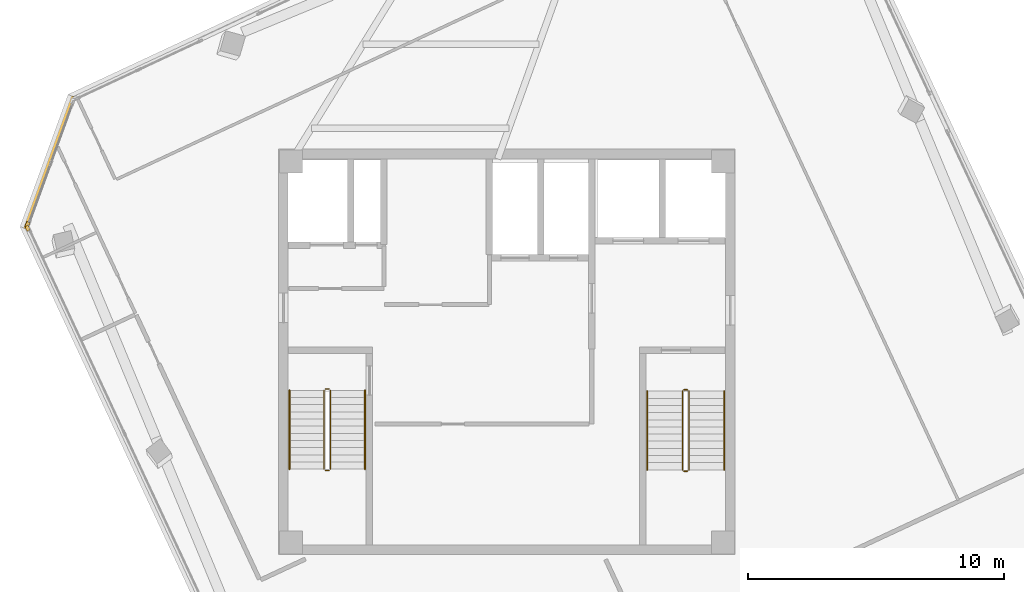
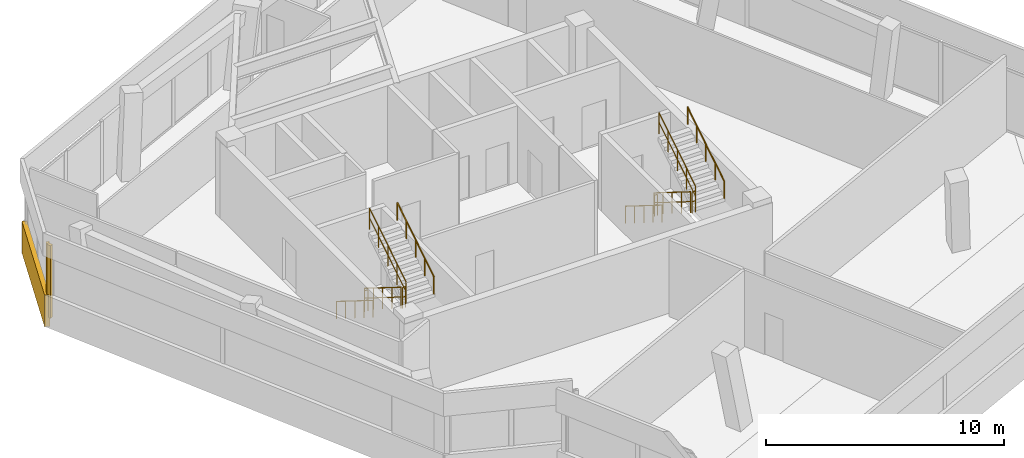
# One storey, part 15 of 16: 12 railings, 3 coverings.
"""IFC4 building model written with IfcOpenShell, lengths in metres."""

from ifc_helpers import new_model, si_unit, direction, frame, origin, origin_2d, place, context, subcontext, project, spatial, rectangle, circle, extrude, source, transform, mapped, material, layer, layer_set, type_object, element, save


model = new_model("IFC4")

# Units and contexts
model_context = context("Model", 3, precision=1e-05, world=origin(), true_north=direction((0.0, 1.0)))
body_context = subcontext(model_context, "Body", "Model", "MODEL_VIEW")
ifc_project = project(units=[si_unit("LENGTHUNIT", "METRE"), si_unit("AREAUNIT", "SQUARE_METRE"), si_unit("VOLUMEUNIT", "CUBIC_METRE"), si_unit("PLANEANGLEUNIT", "RADIAN"), si_unit("MASSUNIT", "GRAM", prefix="KILO")], contexts=[model_context])

# Site, building, storey
site_placement = place(None, origin())
site = spatial("IfcSite", under=ifc_project, at=site_placement, CompositionType="ELEMENT")
building_placement = place(site_placement, origin())
building = spatial("IfcBuilding", under=site, at=building_placement, Name="Torre Montelarca", CompositionType="ELEMENT")
storey_placement = place(building_placement, frame((0.0, 0.0, 345.0)))
storey = spatial("IfcBuildingStorey", under=building, at=storey_placement, Name="L78", CompositionType="ELEMENT", Elevation=345.0)

# Railings
ifc_material_1 = material(Name="Powder-coated steel ASTM A500 Grade C", Category="steel")
railing_type_1 = type_object("IfcRailingType", Name="RL-GUARD-1100", PredefinedType="BALUSTRADE", material=ifc_material_1)
railing_1_placement = place(storey_placement, frame((10.85009765625, 30.5, 0.175048828125)))
element("IfcRailing", 1, at=railing_1_placement, inside=storey, type_object=railing_type_1, Name="L78 ST1 stair guard 1", PredefinedType="BALUSTRADE", context=body_context, shape_type="SweptSolid", body=[
    extrude(circle(Radius=0.02392578125, at=origin_2d()), frame((0.0, 0.0, 1.076171875), z_axis=(0.0, -0.847998304005, 0.529998940003), x_axis=(1.0, 0.0, 0.0)), (0.0, 0.0, 1.0), 3.632080078125),
    extrude(circle(Radius=0.02099609375, at=origin_2d()), frame((0.0, 0.0, 0.572021484375), z_axis=(0.0, -0.847998304005, 0.529998940003), x_axis=(1.0, 0.0, 0.0)), (0.0, 0.0, 1.0), 3.632080078125),
    extrude(circle(Radius=0.02099609375, at=origin_2d()), origin(), (0.0, 0.0, 1.0), 1.052001953125),
    extrude(circle(Radius=0.02099609375, at=origin_2d()), frame((0.0, -0.77001953125, 0.481201171875)), (0.0, 0.0, 1.0), 1.052001953125),
    extrude(circle(Radius=0.02099609375, at=origin_2d()), frame((0.0, -1.5400390625, 0.96240234375)), (0.0, 0.0, 1.0), 1.052001953125),
    extrude(circle(Radius=0.02099609375, at=origin_2d()), frame((0.0, -2.31005859375, 1.44384765625)), (0.0, 0.0, 1.0), 1.052001953125),
    extrude(circle(Radius=0.02099609375, at=origin_2d()), frame((0.0, -3.080078125, 1.925048828125)), (0.0, 0.0, 1.0), 1.052001953125),
])
railing_2_placement = place(storey_placement, frame((10.89990234375, 27.3701171875, 2.10009765625)))
element("IfcRailing", 2, at=railing_2_placement, inside=storey, type_object=railing_type_1, Name="L78 ST1 stair guard 2", PredefinedType="BALUSTRADE", context=body_context, shape_type="SweptSolid", body=[
    extrude(circle(Radius=0.02392578125, at=origin_2d()), frame((0.0, 0.0, 1.076171875), z_axis=(1.0, 0.0, 0.0), x_axis=(0.0, 1.0, 0.0)), (0.0, 0.0, 1.0), 0.150146484375),
    extrude(circle(Radius=0.02099609375, at=origin_2d()), frame((0.0, 0.0, 0.572021484375), z_axis=(1.0, 0.0, 0.0), x_axis=(0.0, 1.0, 0.0)), (0.0, 0.0, 1.0), 0.150146484375),
    extrude(circle(Radius=0.02099609375, at=origin_2d()), origin(), (0.0, 0.0, 1.0), 1.052001953125),
    extrude(circle(Radius=0.02099609375, at=origin_2d()), frame((0.150146484375, 0.0, 0.0)), (0.0, 0.0, 1.0), 1.052001953125),
])
railing_3_placement = place(storey_placement, frame((11.10009765625, 27.419921875, 2.27490234375)))
element("IfcRailing", 3, at=railing_3_placement, inside=storey, type_object=railing_type_1, Name="L78 ST1 stair guard 3", PredefinedType="BALUSTRADE", context=body_context, shape_type="SweptSolid", body=[
    extrude(circle(Radius=0.02392578125, at=origin_2d()), frame((0.0, 0.0, 1.076171875), z_axis=(0.0, 0.847998304005, 0.529998940003), x_axis=(-1.0, 0.0, 0.0)), (0.0, 0.0, 1.0), 3.632080078125),
    extrude(circle(Radius=0.02099609375, at=origin_2d()), frame((0.0, 0.0, 0.572021484375), z_axis=(0.0, 0.847998304005, 0.529998940003), x_axis=(-1.0, 0.0, 0.0)), (0.0, 0.0, 1.0), 3.632080078125),
    extrude(circle(Radius=0.02099609375, at=origin_2d()), origin(), (0.0, 0.0, 1.0), 1.052001953125),
    extrude(circle(Radius=0.02099609375, at=origin_2d()), frame((0.0, 0.77001953125, 0.481201171875)), (0.0, 0.0, 1.0), 1.052001953125),
    extrude(circle(Radius=0.02099609375, at=origin_2d()), frame((0.0, 1.5400390625, 0.96240234375)), (0.0, 0.0, 1.0), 1.052001953125),
    extrude(circle(Radius=0.02099609375, at=origin_2d()), frame((0.0, 2.31005859375, 1.44384765625)), (0.0, 0.0, 1.0), 1.052001953125),
    extrude(circle(Radius=0.02099609375, at=origin_2d()), frame((0.0, 3.080078125, 1.925048828125)), (0.0, 0.0, 1.0), 1.052001953125),
])
railing_4_placement = place(storey_placement, frame((10.89990234375, 30.550048828125, 0.0)))
element("IfcRailing", 4, at=railing_4_placement, inside=storey, type_object=railing_type_1, Name="L78 ST1 stair guard 4", PredefinedType="BALUSTRADE", context=body_context, shape_type="SweptSolid", body=[
    extrude(circle(Radius=0.02392578125, at=origin_2d()), frame((0.0, 0.0, 1.076171875), z_axis=(1.0, 0.0, 0.0), x_axis=(0.0, 1.0, 0.0)), (0.0, 0.0, 1.0), 0.150146484375),
    extrude(circle(Radius=0.02099609375, at=origin_2d()), frame((0.0, 0.0, 0.572021484375), z_axis=(1.0, 0.0, 0.0), x_axis=(0.0, 1.0, 0.0)), (0.0, 0.0, 1.0), 0.150146484375),
    extrude(circle(Radius=0.02099609375, at=origin_2d()), origin(), (0.0, 0.0, 1.0), 1.052001953125),
    extrude(circle(Radius=0.02099609375, at=origin_2d()), frame((0.150146484375, 0.0, 0.0)), (0.0, 0.0, 1.0), 1.052001953125),
])
railing_5_placement = place(storey_placement, frame((24.8701171875, 30.469970703125, 0.175048828125)))
element("IfcRailing", 5, at=railing_5_placement, inside=storey, type_object=railing_type_1, Name="L78 ST2 stair guard 1", PredefinedType="BALUSTRADE", context=body_context, shape_type="SweptSolid", body=[
    extrude(circle(Radius=0.02392578125, at=origin_2d()), frame((0.0, 0.0, 1.076171875), z_axis=(0.0, -0.847998304005, 0.529998940003), x_axis=(1.0, 0.0, 0.0)), (0.0, 0.0, 1.0), 3.632080078125),
    extrude(circle(Radius=0.02099609375, at=origin_2d()), frame((0.0, 0.0, 0.572021484375), z_axis=(0.0, -0.847998304005, 0.529998940003), x_axis=(1.0, 0.0, 0.0)), (0.0, 0.0, 1.0), 3.632080078125),
    extrude(circle(Radius=0.02099609375, at=origin_2d()), origin(), (0.0, 0.0, 1.0), 1.052001953125),
    extrude(circle(Radius=0.02099609375, at=origin_2d()), frame((0.0, -0.77001953125, 0.481201171875)), (0.0, 0.0, 1.0), 1.052001953125),
    extrude(circle(Radius=0.02099609375, at=origin_2d()), frame((0.0, -1.5400390625, 0.96240234375)), (0.0, 0.0, 1.0), 1.052001953125),
    extrude(circle(Radius=0.02099609375, at=origin_2d()), frame((0.0, -2.31005859375, 1.44384765625)), (0.0, 0.0, 1.0), 1.052001953125),
    extrude(circle(Radius=0.02099609375, at=origin_2d()), frame((0.0, -3.080078125, 1.925048828125)), (0.0, 0.0, 1.0), 1.052001953125),
])
railing_6_placement = place(storey_placement, frame((24.919921875, 27.340087890625, 2.10009765625)))
element("IfcRailing", 6, at=railing_6_placement, inside=storey, type_object=railing_type_1, Name="L78 ST2 stair guard 2", PredefinedType="BALUSTRADE", context=body_context, shape_type="SweptSolid", body=[
    extrude(circle(Radius=0.02392578125, at=origin_2d()), frame((0.0, 0.0, 1.076171875), z_axis=(1.0, 0.0, 0.0), x_axis=(0.0, 1.0, 0.0)), (0.0, 0.0, 1.0), 0.150146484375),
    extrude(circle(Radius=0.02099609375, at=origin_2d()), frame((0.0, 0.0, 0.572021484375), z_axis=(1.0, 0.0, 0.0), x_axis=(0.0, 1.0, 0.0)), (0.0, 0.0, 1.0), 0.150146484375),
    extrude(circle(Radius=0.02099609375, at=origin_2d()), origin(), (0.0, 0.0, 1.0), 1.052001953125),
    extrude(circle(Radius=0.02099609375, at=origin_2d()), frame((0.150146484375, 0.0, 0.0)), (0.0, 0.0, 1.0), 1.052001953125),
])
railing_7_placement = place(storey_placement, frame((25.1201171875, 27.389892578125, 2.27490234375)))
element("IfcRailing", 7, at=railing_7_placement, inside=storey, type_object=railing_type_1, Name="L78 ST2 stair guard 3", PredefinedType="BALUSTRADE", context=body_context, shape_type="SweptSolid", body=[
    extrude(circle(Radius=0.02392578125, at=origin_2d()), frame((0.0, 0.0, 1.076171875), z_axis=(0.0, 0.847998304005, 0.529998940003), x_axis=(-1.0, 0.0, 0.0)), (0.0, 0.0, 1.0), 3.632080078125),
    extrude(circle(Radius=0.02099609375, at=origin_2d()), frame((0.0, 0.0, 0.572021484375), z_axis=(0.0, 0.847998304005, 0.529998940003), x_axis=(-1.0, 0.0, 0.0)), (0.0, 0.0, 1.0), 3.632080078125),
    extrude(circle(Radius=0.02099609375, at=origin_2d()), origin(), (0.0, 0.0, 1.0), 1.052001953125),
    extrude(circle(Radius=0.02099609375, at=origin_2d()), frame((0.0, 0.77001953125, 0.481201171875)), (0.0, 0.0, 1.0), 1.052001953125),
    extrude(circle(Radius=0.02099609375, at=origin_2d()), frame((0.0, 1.5400390625, 0.96240234375)), (0.0, 0.0, 1.0), 1.052001953125),
    extrude(circle(Radius=0.02099609375, at=origin_2d()), frame((0.0, 2.31005859375, 1.44384765625)), (0.0, 0.0, 1.0), 1.052001953125),
    extrude(circle(Radius=0.02099609375, at=origin_2d()), frame((0.0, 3.080078125, 1.925048828125)), (0.0, 0.0, 1.0), 1.052001953125),
])
railing_8_placement = place(storey_placement, frame((24.919921875, 30.52001953125, 0.0)))
element("IfcRailing", 8, at=railing_8_placement, inside=storey, type_object=railing_type_1, Name="L78 ST2 stair guard 4", PredefinedType="BALUSTRADE", context=body_context, shape_type="SweptSolid", body=[
    extrude(circle(Radius=0.02392578125, at=origin_2d()), frame((0.0, 0.0, 1.076171875), z_axis=(1.0, 0.0, 0.0), x_axis=(0.0, 1.0, 0.0)), (0.0, 0.0, 1.0), 0.150146484375),
    extrude(circle(Radius=0.02099609375, at=origin_2d()), frame((0.0, 0.0, 0.572021484375), z_axis=(1.0, 0.0, 0.0), x_axis=(0.0, 1.0, 0.0)), (0.0, 0.0, 1.0), 0.150146484375),
    extrude(circle(Radius=0.02099609375, at=origin_2d()), origin(), (0.0, 0.0, 1.0), 1.052001953125),
    extrude(circle(Radius=0.02099609375, at=origin_2d()), frame((0.150146484375, 0.0, 0.0)), (0.0, 0.0, 1.0), 1.052001953125),
])
ifc_material_2 = material(Name="Brushed stainless steel AISI 316", Category="steel")
railing_type_2 = type_object("IfcRailingType", Name="RL-HANDRAIL-900", PredefinedType="HANDRAIL", material=ifc_material_2)
railing_9_placement = place(storey_placement, frame((9.5, 30.5, 0.175048828125)))
element("IfcRailing", 9, at=railing_9_placement, inside=storey, type_object=railing_type_2, Name="L78 ST1 stair handrail 1", PredefinedType="HANDRAIL", context=body_context, shape_type="SweptSolid", body=[
    extrude(circle(Radius=0.02392578125, at=origin_2d()), frame((0.0, 0.0, 0.8759765625), z_axis=(0.0, -0.847998304005, 0.529998940003), x_axis=(1.0, 0.0, 0.0)), (0.0, 0.0, 1.0), 3.632080078125),
    extrude(circle(Radius=0.02099609375, at=origin_2d()), origin(), (0.0, 0.0, 1.0), 0.851806640625),
    extrude(circle(Radius=0.02099609375, at=origin_2d()), frame((0.0, -0.77001953125, 0.481201171875)), (0.0, 0.0, 1.0), 0.851806640625),
    extrude(circle(Radius=0.02099609375, at=origin_2d()), frame((0.0, -1.5400390625, 0.96240234375)), (0.0, 0.0, 1.0), 0.851806640625),
    extrude(circle(Radius=0.02099609375, at=origin_2d()), frame((0.0, -2.31005859375, 1.44384765625)), (0.0, 0.0, 1.0), 0.851806640625),
    extrude(circle(Radius=0.02099609375, at=origin_2d()), frame((0.0, -3.080078125, 1.925048828125)), (0.0, 0.0, 1.0), 0.851806640625),
])
railing_10_placement = place(storey_placement, frame((12.449951171875, 27.419921875, 2.27490234375)))
element("IfcRailing", 10, at=railing_10_placement, inside=storey, type_object=railing_type_2, Name="L78 ST1 stair handrail 2", PredefinedType="HANDRAIL", context=body_context, shape_type="SweptSolid", body=[
    extrude(circle(Radius=0.02392578125, at=origin_2d()), frame((0.0, 0.0, 0.8759765625), z_axis=(0.0, 0.847998304005, 0.529998940003), x_axis=(-1.0, 0.0, 0.0)), (0.0, 0.0, 1.0), 3.632080078125),
    extrude(circle(Radius=0.02099609375, at=origin_2d()), origin(), (0.0, 0.0, 1.0), 0.851806640625),
    extrude(circle(Radius=0.02099609375, at=origin_2d()), frame((0.0, 0.77001953125, 0.481201171875)), (0.0, 0.0, 1.0), 0.851806640625),
    extrude(circle(Radius=0.02099609375, at=origin_2d()), frame((0.0, 1.5400390625, 0.96240234375)), (0.0, 0.0, 1.0), 0.851806640625),
    extrude(circle(Radius=0.02099609375, at=origin_2d()), frame((0.0, 2.31005859375, 1.44384765625)), (0.0, 0.0, 1.0), 0.851806640625),
    extrude(circle(Radius=0.02099609375, at=origin_2d()), frame((0.0, 3.080078125, 1.925048828125)), (0.0, 0.0, 1.0), 0.851806640625),
])
railing_11_placement = place(storey_placement, frame((23.489990234375, 30.469970703125, 0.175048828125)))
element("IfcRailing", 11, at=railing_11_placement, inside=storey, type_object=railing_type_2, Name="L78 ST2 stair handrail 1", PredefinedType="HANDRAIL", context=body_context, shape_type="SweptSolid", body=[
    extrude(circle(Radius=0.02392578125, at=origin_2d()), frame((0.0, 0.0, 0.8759765625), z_axis=(0.0, -0.847998304005, 0.529998940003), x_axis=(1.0, 0.0, 0.0)), (0.0, 0.0, 1.0), 3.632080078125),
    extrude(circle(Radius=0.02099609375, at=origin_2d()), origin(), (0.0, 0.0, 1.0), 0.851806640625),
    extrude(circle(Radius=0.02099609375, at=origin_2d()), frame((0.0, -0.77001953125, 0.481201171875)), (0.0, 0.0, 1.0), 0.851806640625),
    extrude(circle(Radius=0.02099609375, at=origin_2d()), frame((0.0, -1.5400390625, 0.96240234375)), (0.0, 0.0, 1.0), 0.851806640625),
    extrude(circle(Radius=0.02099609375, at=origin_2d()), frame((0.0, -2.31005859375, 1.44384765625)), (0.0, 0.0, 1.0), 0.851806640625),
    extrude(circle(Radius=0.02099609375, at=origin_2d()), frame((0.0, -3.080078125, 1.925048828125)), (0.0, 0.0, 1.0), 0.851806640625),
])
railing_12_placement = place(storey_placement, frame((26.5, 27.389892578125, 2.27490234375)))
element("IfcRailing", 12, at=railing_12_placement, inside=storey, type_object=railing_type_2, Name="L78 ST2 stair handrail 2", PredefinedType="HANDRAIL", context=body_context, shape_type="SweptSolid", body=[
    extrude(circle(Radius=0.02392578125, at=origin_2d()), frame((0.0, 0.0, 0.8759765625), z_axis=(0.0, 0.847998304005, 0.529998940003), x_axis=(-1.0, 0.0, 0.0)), (0.0, 0.0, 1.0), 3.632080078125),
    extrude(circle(Radius=0.02099609375, at=origin_2d()), origin(), (0.0, 0.0, 1.0), 0.851806640625),
    extrude(circle(Radius=0.02099609375, at=origin_2d()), frame((0.0, 0.77001953125, 0.481201171875)), (0.0, 0.0, 1.0), 0.851806640625),
    extrude(circle(Radius=0.02099609375, at=origin_2d()), frame((0.0, 1.5400390625, 0.96240234375)), (0.0, 0.0, 1.0), 0.851806640625),
    extrude(circle(Radius=0.02099609375, at=origin_2d()), frame((0.0, 2.31005859375, 1.44384765625)), (0.0, 0.0, 1.0), 0.851806640625),
    extrude(circle(Radius=0.02099609375, at=origin_2d()), frame((0.0, 3.080078125, 1.925048828125)), (0.0, 0.0, 1.0), 0.851806640625),
])

# Coverings
ifc_material_3 = material(Name="Bush-hammered warm white precast concrete C45/55", Category="concrete")
ifc_layer = layer(ifc_material_3, 0.139892578125, Name="Bush-hammered warm white precast concrete C45/55", Category="concrete")
ifc_layer_set = layer_set([ifc_layer], Name="Bush-hammered warm white precast concrete C45/55")
covering_type = type_object("IfcCoveringType", Name="COV-TRAY-CLAD", PredefinedType="CLADDING", material=ifc_layer_set)
shared_shape_1 = source(origin(), body_context, "Body", "SweptSolid", [
    extrude(rectangle(XDim=0.199951171875, YDim=0.139892578125, at=origin_2d()), origin(), (0.0, 0.0, 1.0), 3.719970703125),
])
for number, where, z_axis, x_axis, name in (
    (13, (-0.738525390625, 36.839111328125, 0.0), (0.0, 0.0, 1.0), (0.422616679935, -0.906308524643, 0.0), "L78 Architectural Column Pier Cladding E01-1"),
    (14, (-0.7451171875, 36.984130859375, 0.0), (0.0, 0.0, 1.0), (-0.342010302869, -0.939696202361, 0.0), "L78 Architectural Column Pier Cladding E11-2"),
):
    element("IfcCovering", number, at=place(storey_placement, frame(where, z_axis=z_axis, x_axis=x_axis)), inside=storey, type_object=covering_type, Name=name, PredefinedType="CLADDING", context=body_context, shape_type="MappedRepresentation", body=[
        mapped(shared_shape_1, transform((0.0, 0.0, 0.0), scale=1.0)),
    ])
shared_shape_2 = source(origin(), body_context, "Body", "SweptSolid", [
    extrude(rectangle(XDim=5.493896484375, YDim=0.219970703125, at=origin_2d()), origin(), (0.0, 0.0, 1.0), 1.6201171875),
])
covering_placement = place(storey_placement, frame((0.077880859375, 39.420654296875, -0.449951171875), z_axis=(0.0, 0.0, 1.0), x_axis=(-0.342018503252, -0.939693217722, 0.0)))
element("IfcCovering", 15, at=covering_placement, inside=storey, type_object=covering_type, Name="L78 Architectural White Spandrel Tray Band TRYBOT-11", PredefinedType="CLADDING", context=body_context, shape_type="MappedRepresentation", body=[
    mapped(shared_shape_2, transform((0.0, 0.0, 0.0), scale=1.0)),
])

save(model, "model.ifc")
